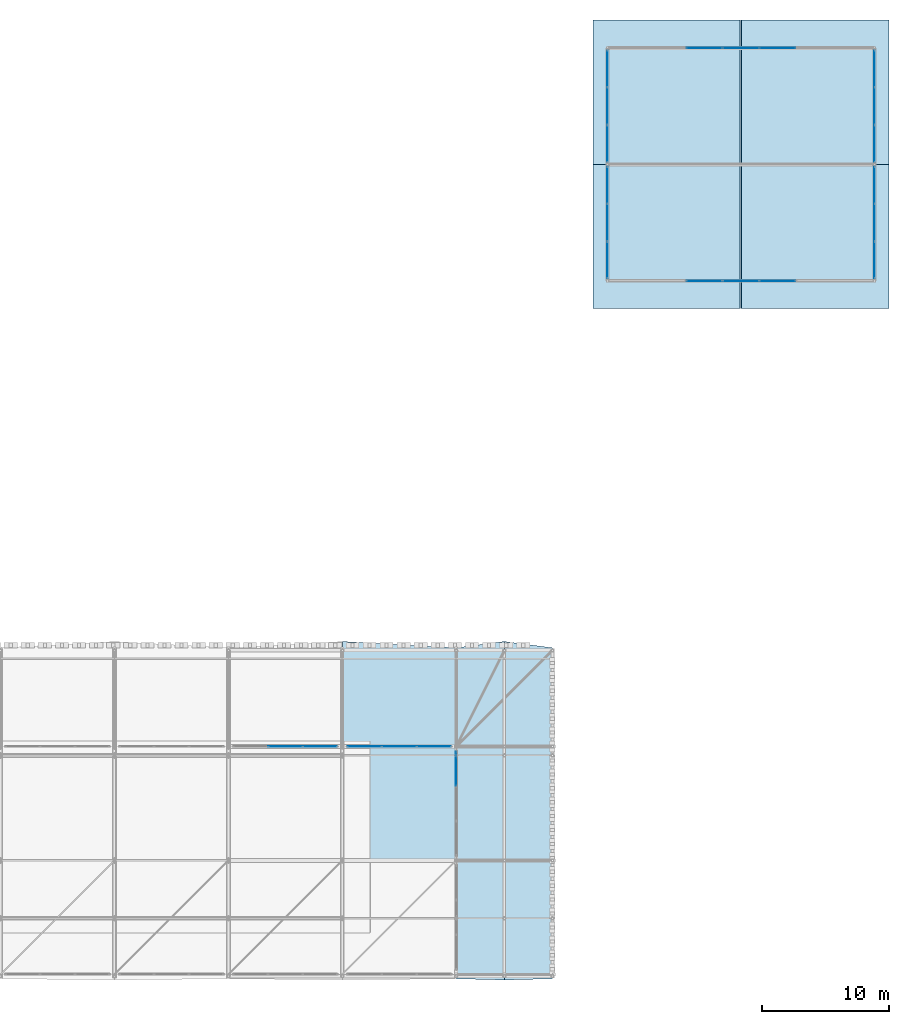
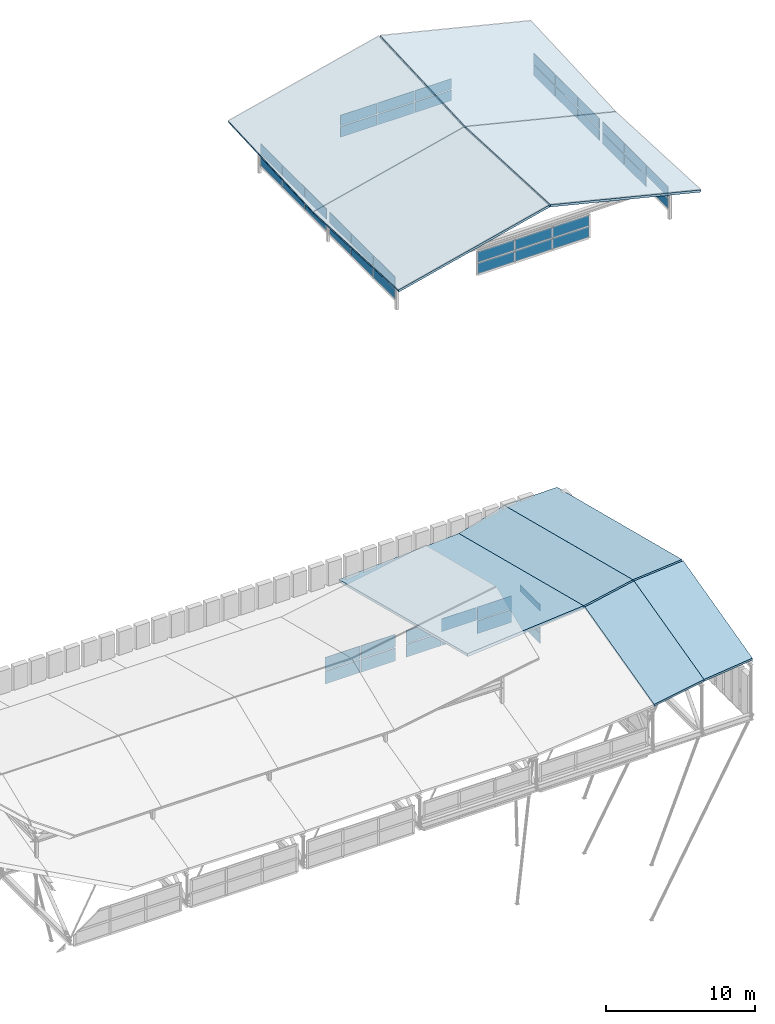
# One storey, part 33 of 42: 49 plates, 9 slabs, 9 elements without a shape of their own.
"""IFC4 building model written with IfcOpenShell, lengths in metres."""

from ifc_helpers import new_model, si_unit, direction, frame, origin, origin_2d, place, context, subcontext, project, spatial, polyline, rectangle, outline, extrude, material, layer, layer_set, type_object, element, aggregate, save


model = new_model("IFC4")

# Units and contexts
model_context = context("Model", 3, precision=1e-05, world=origin(), true_north=direction((0.0, 1.0)))
body_context = subcontext(model_context, "Body", "Model", "MODEL_VIEW")
ifc_project = project(units=[si_unit("LENGTHUNIT", "METRE"), si_unit("AREAUNIT", "SQUARE_METRE"), si_unit("VOLUMEUNIT", "CUBIC_METRE"), si_unit("PLANEANGLEUNIT", "RADIAN"), si_unit("MASSUNIT", "GRAM", prefix="KILO")], contexts=[model_context])

# Site, building, storey
site_placement = place(None, origin())
site = spatial("IfcSite", under=ifc_project, at=site_placement, CompositionType="ELEMENT")
building_placement = place(site_placement, origin())
building = spatial("IfcBuilding", under=site, at=building_placement, Name="Bozkorgan Art Gallery", CompositionType="ELEMENT")
storey_placement = place(building_placement, frame((0.0, 0.0, 28.800048828125)))
storey = spatial("IfcBuildingStorey", under=building, at=storey_placement, Name="RF", CompositionType="ELEMENT", Elevation=28.800048828125)

# Curtain wall, plates
ifc_material_1 = material(Name="Anodised Bronze Aluminium", Category="aluminium")
curtain_wall_type_1 = type_object("IfcCurtainWallType", Name="CW-CW-50", PredefinedType="NOTDEFINED", material=ifc_material_1)
curtain_wall_1_placement = place(storey_placement, origin())
curtain_wall_1 = element("IfcCurtainWall", 1, at=curtain_wall_1_placement, inside=storey, type_object=curtain_wall_type_1, Name="RF unitised curtain wall CW-MON-ROOF-V4-MAIN-S-83", PredefinedType="NOTDEFINED")
ifc_material_2 = material(Name="Triple Low-E Laminated Glass", Category="glass")
ifc_layer_1 = layer(ifc_material_2, 0.0439453125, Name="Triple Low-E Laminated Glass")
ifc_layer_set_1 = layer_set([ifc_layer_1], Name="Triple Low-E Laminated Glass")
plate_type = type_object("IfcPlateType", Name="CWP-GLZ", PredefinedType="CURTAIN_PANEL", material=ifc_layer_set_1)
plate_1_placement = place(storey_placement, frame((84.609619140625, 56.800048828125, -0.60498046875), z_axis=(0.0, 0.0, 1.0), x_axis=(1.0, 0.0, 0.0)))
plate_1 = element("IfcPlate", 2, at=plate_1_placement, type_object=plate_type, Name="CW-50 panel 1.1", PredefinedType="CURTAIN_PANEL", context=body_context, shape_type="SweptSolid", body=[
    extrude(rectangle(XDim=2.80908203125, YDim=0.0439453125, at=origin_2d()), origin(), (0.0, 0.0, 1.0), 0.85791015625),
])
plate_2_placement = place(storey_placement, frame((84.609619140625, 56.800048828125, 0.3330078125), z_axis=(0.0, 0.0, 1.0), x_axis=(1.0, 0.0, 0.0)))
plate_2 = element("IfcPlate", 3, at=plate_2_placement, type_object=plate_type, Name="CW-50 panel 1.2", PredefinedType="CURTAIN_PANEL", context=body_context, shape_type="SweptSolid", body=[
    extrude(rectangle(XDim=2.80908203125, YDim=0.0439453125, at=origin_2d()), origin(), (0.0, 0.0, 1.0), 0.85888671875),
])
plate_3_placement = place(storey_placement, frame((87.5, 56.800048828125, -0.60498046875), z_axis=(0.0, 0.0, 1.0), x_axis=(1.0, 0.0, 0.0)))
plate_3 = element("IfcPlate", 4, at=plate_3_placement, type_object=plate_type, Name="CW-50 panel 2.1", PredefinedType="CURTAIN_PANEL", context=body_context, shape_type="SweptSolid", body=[
    extrude(rectangle(XDim=2.841552734375, YDim=0.0439453125, at=origin_2d()), origin(), (0.0, 0.0, 1.0), 0.85791015625),
])
plate_4_placement = place(storey_placement, frame((87.5, 56.800048828125, 0.3330078125), z_axis=(0.0, 0.0, 1.0), x_axis=(1.0, 0.0, 0.0)))
plate_4 = element("IfcPlate", 5, at=plate_4_placement, type_object=plate_type, Name="CW-50 panel 2.2", PredefinedType="CURTAIN_PANEL", context=body_context, shape_type="SweptSolid", body=[
    extrude(rectangle(XDim=2.841552734375, YDim=0.0439453125, at=origin_2d()), origin(), (0.0, 0.0, 1.0), 0.85888671875),
])
plate_5_placement = place(storey_placement, frame((90.390380859375, 56.800048828125, -0.60498046875), z_axis=(0.0, 0.0, 1.0), x_axis=(1.0, 0.0, 0.0)))
plate_5 = element("IfcPlate", 6, at=plate_5_placement, type_object=plate_type, Name="CW-50 panel 3.1", PredefinedType="CURTAIN_PANEL", context=body_context, shape_type="SweptSolid", body=[
    extrude(rectangle(XDim=2.80908203125, YDim=0.0439453125, at=origin_2d()), origin(), (0.0, 0.0, 1.0), 0.85791015625),
])
plate_6_placement = place(storey_placement, frame((90.390380859375, 56.800048828125, 0.3330078125), z_axis=(0.0, 0.0, 1.0), x_axis=(1.0, 0.0, 0.0)))
plate_6 = element("IfcPlate", 7, at=plate_6_placement, type_object=plate_type, Name="CW-50 panel 3.2", PredefinedType="CURTAIN_PANEL", context=body_context, shape_type="SweptSolid", body=[
    extrude(rectangle(XDim=2.80908203125, YDim=0.0439453125, at=origin_2d()), origin(), (0.0, 0.0, 1.0), 0.85888671875),
])
aggregate(curtain_wall_1, [plate_1, plate_2, plate_3, plate_4, plate_5, plate_6])

curtain_wall_2_placement = place(storey_placement, origin())
curtain_wall_2 = element("IfcCurtainWall", 8, at=curtain_wall_2_placement, inside=storey, type_object=curtain_wall_type_1, Name="RF unitised curtain wall CW-MON-ROOF-V4-MAIN-N-83", PredefinedType="NOTDEFINED")
plate_7_placement = place(storey_placement, frame((84.609619140625, 75.199951171875, -0.60498046875), z_axis=(0.0, 0.0, 1.0), x_axis=(1.0, 0.0, 0.0)))
plate_7 = element("IfcPlate", 9, at=plate_7_placement, type_object=plate_type, Name="CW-50 panel 1.1", PredefinedType="CURTAIN_PANEL", context=body_context, shape_type="SweptSolid", body=[
    extrude(rectangle(XDim=2.80908203125, YDim=0.0439453125, at=origin_2d()), origin(), (0.0, 0.0, 1.0), 0.85791015625),
])
plate_8_placement = place(storey_placement, frame((84.609619140625, 75.199951171875, 0.3330078125), z_axis=(0.0, 0.0, 1.0), x_axis=(1.0, 0.0, 0.0)))
plate_8 = element("IfcPlate", 10, at=plate_8_placement, type_object=plate_type, Name="CW-50 panel 1.2", PredefinedType="CURTAIN_PANEL", context=body_context, shape_type="SweptSolid", body=[
    extrude(rectangle(XDim=2.80908203125, YDim=0.0439453125, at=origin_2d()), origin(), (0.0, 0.0, 1.0), 0.85888671875),
])
plate_9_placement = place(storey_placement, frame((87.5, 75.199951171875, -0.60498046875), z_axis=(0.0, 0.0, 1.0), x_axis=(1.0, 0.0, 0.0)))
plate_9 = element("IfcPlate", 11, at=plate_9_placement, type_object=plate_type, Name="CW-50 panel 2.1", PredefinedType="CURTAIN_PANEL", context=body_context, shape_type="SweptSolid", body=[
    extrude(rectangle(XDim=2.841552734375, YDim=0.0439453125, at=origin_2d()), origin(), (0.0, 0.0, 1.0), 0.85791015625),
])
plate_10_placement = place(storey_placement, frame((87.5, 75.199951171875, 0.3330078125), z_axis=(0.0, 0.0, 1.0), x_axis=(1.0, 0.0, 0.0)))
plate_10 = element("IfcPlate", 12, at=plate_10_placement, type_object=plate_type, Name="CW-50 panel 2.2", PredefinedType="CURTAIN_PANEL", context=body_context, shape_type="SweptSolid", body=[
    extrude(rectangle(XDim=2.841552734375, YDim=0.0439453125, at=origin_2d()), origin(), (0.0, 0.0, 1.0), 0.85888671875),
])
plate_11_placement = place(storey_placement, frame((90.390380859375, 75.199951171875, -0.60498046875), z_axis=(0.0, 0.0, 1.0), x_axis=(1.0, 0.0, 0.0)))
plate_11 = element("IfcPlate", 13, at=plate_11_placement, type_object=plate_type, Name="CW-50 panel 3.1", PredefinedType="CURTAIN_PANEL", context=body_context, shape_type="SweptSolid", body=[
    extrude(rectangle(XDim=2.80908203125, YDim=0.0439453125, at=origin_2d()), origin(), (0.0, 0.0, 1.0), 0.85791015625),
])
plate_12_placement = place(storey_placement, frame((90.390380859375, 75.199951171875, 0.3330078125), z_axis=(0.0, 0.0, 1.0), x_axis=(1.0, 0.0, 0.0)))
plate_12 = element("IfcPlate", 14, at=plate_12_placement, type_object=plate_type, Name="CW-50 panel 3.2", PredefinedType="CURTAIN_PANEL", context=body_context, shape_type="SweptSolid", body=[
    extrude(rectangle(XDim=2.80908203125, YDim=0.0439453125, at=origin_2d()), origin(), (0.0, 0.0, 1.0), 0.85888671875),
])
aggregate(curtain_wall_2, [plate_7, plate_8, plate_9, plate_10, plate_11, plate_12])

curtain_wall_type_2 = type_object("IfcCurtainWallType", Name="CW-CW-64", PredefinedType="NOTDEFINED", material=ifc_material_1)
curtain_wall_3_placement = place(storey_placement, origin())
curtain_wall_3 = element("IfcCurtainWall", 15, at=curtain_wall_3_placement, inside=storey, type_object=curtain_wall_type_2, Name="RF unitised curtain wall CW-MON-ROOF-V4-MAIN-W-56", PredefinedType="NOTDEFINED")
plate_13_placement = place(storey_placement, frame((76.949951171875, 58.44287109375, -0.60498046875), z_axis=(0.0, 0.0, 1.0), x_axis=(0.0, 1.0, 0.0)))
plate_13 = element("IfcPlate", 16, at=plate_13_placement, type_object=plate_type, Name="CW-64 panel 1.1", PredefinedType="CURTAIN_PANEL", context=body_context, shape_type="SweptSolid", body=[
    extrude(rectangle(XDim=2.875732421875, YDim=0.0439453125, at=origin_2d()), origin(), (0.0, 0.0, 1.0), 0.85791015625),
])
plate_14_placement = place(storey_placement, frame((76.949951171875, 58.44287109375, 0.3330078125), z_axis=(0.0, 0.0, 1.0), x_axis=(0.0, 1.0, 0.0)))
plate_14 = element("IfcPlate", 17, at=plate_14_placement, type_object=plate_type, Name="CW-64 panel 1.2", PredefinedType="CURTAIN_PANEL", context=body_context, shape_type="SweptSolid", body=[
    extrude(rectangle(XDim=2.875732421875, YDim=0.0439453125, at=origin_2d()), origin(), (0.0, 0.0, 1.0), 0.85888671875),
])
plate_15_placement = place(storey_placement, frame((76.949951171875, 61.39990234375, -0.60498046875), z_axis=(0.0, 0.0, 1.0), x_axis=(0.0, 1.0, 0.0)))
plate_15 = element("IfcPlate", 18, at=plate_15_placement, type_object=plate_type, Name="CW-64 panel 2.1", PredefinedType="CURTAIN_PANEL", context=body_context, shape_type="SweptSolid", body=[
    extrude(rectangle(XDim=2.908447265625, YDim=0.0439453125, at=origin_2d()), origin(), (0.0, 0.0, 1.0), 0.85791015625),
])
plate_16_placement = place(storey_placement, frame((76.949951171875, 61.39990234375, 0.3330078125), z_axis=(0.0, 0.0, 1.0), x_axis=(0.0, 1.0, 0.0)))
plate_16 = element("IfcPlate", 19, at=plate_16_placement, type_object=plate_type, Name="CW-64 panel 2.2", PredefinedType="CURTAIN_PANEL", context=body_context, shape_type="SweptSolid", body=[
    extrude(rectangle(XDim=2.908447265625, YDim=0.0439453125, at=origin_2d()), origin(), (0.0, 0.0, 1.0), 0.85888671875),
])
plate_17_placement = place(storey_placement, frame((76.949951171875, 64.357177734375, -0.60498046875), z_axis=(0.0, 0.0, 1.0), x_axis=(0.0, 1.0, 0.0)))
plate_17 = element("IfcPlate", 20, at=plate_17_placement, type_object=plate_type, Name="CW-64 panel 3.1", PredefinedType="CURTAIN_PANEL", context=body_context, shape_type="SweptSolid", body=[
    extrude(rectangle(XDim=2.875732421875, YDim=0.0439453125, at=origin_2d()), origin(), (0.0, 0.0, 1.0), 0.85791015625),
])
plate_18_placement = place(storey_placement, frame((76.949951171875, 64.357177734375, 0.3330078125), z_axis=(0.0, 0.0, 1.0), x_axis=(0.0, 1.0, 0.0)))
plate_18 = element("IfcPlate", 21, at=plate_18_placement, type_object=plate_type, Name="CW-64 panel 3.2", PredefinedType="CURTAIN_PANEL", context=body_context, shape_type="SweptSolid", body=[
    extrude(rectangle(XDim=2.875732421875, YDim=0.0439453125, at=origin_2d()), origin(), (0.0, 0.0, 1.0), 0.85888671875),
])
aggregate(curtain_wall_3, [plate_13, plate_14, plate_15, plate_16, plate_17, plate_18])

curtain_wall_4_placement = place(storey_placement, origin())
curtain_wall_4 = element("IfcCurtainWall", 22, at=curtain_wall_4_placement, inside=storey, type_object=curtain_wall_type_2, Name="RF unitised curtain wall CW-MON-ROOF-V4-MAIN-E-56", PredefinedType="NOTDEFINED")
plate_19_placement = place(storey_placement, frame((98.050048828125, 58.44287109375, -0.60498046875), z_axis=(0.0, 0.0, 1.0), x_axis=(0.0, 1.0, 0.0)))
plate_19 = element("IfcPlate", 23, at=plate_19_placement, type_object=plate_type, Name="CW-64 panel 1.1", PredefinedType="CURTAIN_PANEL", context=body_context, shape_type="SweptSolid", body=[
    extrude(rectangle(XDim=2.875732421875, YDim=0.0439453125, at=origin_2d()), origin(), (0.0, 0.0, 1.0), 0.85791015625),
])
plate_20_placement = place(storey_placement, frame((98.050048828125, 58.44287109375, 0.3330078125), z_axis=(0.0, 0.0, 1.0), x_axis=(0.0, 1.0, 0.0)))
plate_20 = element("IfcPlate", 24, at=plate_20_placement, type_object=plate_type, Name="CW-64 panel 1.2", PredefinedType="CURTAIN_PANEL", context=body_context, shape_type="SweptSolid", body=[
    extrude(rectangle(XDim=2.875732421875, YDim=0.0439453125, at=origin_2d()), origin(), (0.0, 0.0, 1.0), 0.85888671875),
])
plate_21_placement = place(storey_placement, frame((98.050048828125, 61.39990234375, -0.60498046875), z_axis=(0.0, 0.0, 1.0), x_axis=(0.0, 1.0, 0.0)))
plate_21 = element("IfcPlate", 25, at=plate_21_placement, type_object=plate_type, Name="CW-64 panel 2.1", PredefinedType="CURTAIN_PANEL", context=body_context, shape_type="SweptSolid", body=[
    extrude(rectangle(XDim=2.908447265625, YDim=0.0439453125, at=origin_2d()), origin(), (0.0, 0.0, 1.0), 0.85791015625),
])
plate_22_placement = place(storey_placement, frame((98.050048828125, 61.39990234375, 0.3330078125), z_axis=(0.0, 0.0, 1.0), x_axis=(0.0, 1.0, 0.0)))
plate_22 = element("IfcPlate", 26, at=plate_22_placement, type_object=plate_type, Name="CW-64 panel 2.2", PredefinedType="CURTAIN_PANEL", context=body_context, shape_type="SweptSolid", body=[
    extrude(rectangle(XDim=2.908447265625, YDim=0.0439453125, at=origin_2d()), origin(), (0.0, 0.0, 1.0), 0.85888671875),
])
plate_23_placement = place(storey_placement, frame((98.050048828125, 64.357177734375, -0.60498046875), z_axis=(0.0, 0.0, 1.0), x_axis=(0.0, 1.0, 0.0)))
plate_23 = element("IfcPlate", 27, at=plate_23_placement, type_object=plate_type, Name="CW-64 panel 3.1", PredefinedType="CURTAIN_PANEL", context=body_context, shape_type="SweptSolid", body=[
    extrude(rectangle(XDim=2.875732421875, YDim=0.0439453125, at=origin_2d()), origin(), (0.0, 0.0, 1.0), 0.85791015625),
])
plate_24_placement = place(storey_placement, frame((98.050048828125, 64.357177734375, 0.3330078125), z_axis=(0.0, 0.0, 1.0), x_axis=(0.0, 1.0, 0.0)))
plate_24 = element("IfcPlate", 28, at=plate_24_placement, type_object=plate_type, Name="CW-64 panel 3.2", PredefinedType="CURTAIN_PANEL", context=body_context, shape_type="SweptSolid", body=[
    extrude(rectangle(XDim=2.875732421875, YDim=0.0439453125, at=origin_2d()), origin(), (0.0, 0.0, 1.0), 0.85888671875),
])
aggregate(curtain_wall_4, [plate_19, plate_20, plate_21, plate_22, plate_23, plate_24])

curtain_wall_5_placement = place(storey_placement, origin())
curtain_wall_5 = element("IfcCurtainWall", 29, at=curtain_wall_5_placement, inside=storey, type_object=curtain_wall_type_2, Name="RF unitised curtain wall CW-MON-ROOF-V4-MAIN-W-66", PredefinedType="NOTDEFINED")
plate_25_placement = place(storey_placement, frame((76.949951171875, 67.642822265625, -0.60498046875), z_axis=(0.0, 0.0, 1.0), x_axis=(0.0, 1.0, 0.0)))
plate_25 = element("IfcPlate", 30, at=plate_25_placement, type_object=plate_type, Name="CW-64 panel 1.1", PredefinedType="CURTAIN_PANEL", context=body_context, shape_type="SweptSolid", body=[
    extrude(rectangle(XDim=2.875732421875, YDim=0.0439453125, at=origin_2d()), origin(), (0.0, 0.0, 1.0), 0.85791015625),
])
plate_26_placement = place(storey_placement, frame((76.949951171875, 67.642822265625, 0.3330078125), z_axis=(0.0, 0.0, 1.0), x_axis=(0.0, 1.0, 0.0)))
plate_26 = element("IfcPlate", 31, at=plate_26_placement, type_object=plate_type, Name="CW-64 panel 1.2", PredefinedType="CURTAIN_PANEL", context=body_context, shape_type="SweptSolid", body=[
    extrude(rectangle(XDim=2.875732421875, YDim=0.0439453125, at=origin_2d()), origin(), (0.0, 0.0, 1.0), 0.85888671875),
])
plate_27_placement = place(storey_placement, frame((76.949951171875, 70.60009765625, -0.60498046875), z_axis=(0.0, 0.0, 1.0), x_axis=(0.0, 1.0, 0.0)))
plate_27 = element("IfcPlate", 32, at=plate_27_placement, type_object=plate_type, Name="CW-64 panel 2.1", PredefinedType="CURTAIN_PANEL", context=body_context, shape_type="SweptSolid", body=[
    extrude(rectangle(XDim=2.908447265625, YDim=0.0439453125, at=origin_2d()), origin(), (0.0, 0.0, 1.0), 0.85791015625),
])
plate_28_placement = place(storey_placement, frame((76.949951171875, 70.60009765625, 0.3330078125), z_axis=(0.0, 0.0, 1.0), x_axis=(0.0, 1.0, 0.0)))
plate_28 = element("IfcPlate", 33, at=plate_28_placement, type_object=plate_type, Name="CW-64 panel 2.2", PredefinedType="CURTAIN_PANEL", context=body_context, shape_type="SweptSolid", body=[
    extrude(rectangle(XDim=2.908447265625, YDim=0.0439453125, at=origin_2d()), origin(), (0.0, 0.0, 1.0), 0.85888671875),
])
plate_29_placement = place(storey_placement, frame((76.949951171875, 73.55712890625, -0.60498046875), z_axis=(0.0, 0.0, 1.0), x_axis=(0.0, 1.0, 0.0)))
plate_29 = element("IfcPlate", 34, at=plate_29_placement, type_object=plate_type, Name="CW-64 panel 3.1", PredefinedType="CURTAIN_PANEL", context=body_context, shape_type="SweptSolid", body=[
    extrude(rectangle(XDim=2.875732421875, YDim=0.0439453125, at=origin_2d()), origin(), (0.0, 0.0, 1.0), 0.85791015625),
])
plate_30_placement = place(storey_placement, frame((76.949951171875, 73.55712890625, 0.3330078125), z_axis=(0.0, 0.0, 1.0), x_axis=(0.0, 1.0, 0.0)))
plate_30 = element("IfcPlate", 35, at=plate_30_placement, type_object=plate_type, Name="CW-64 panel 3.2", PredefinedType="CURTAIN_PANEL", context=body_context, shape_type="SweptSolid", body=[
    extrude(rectangle(XDim=2.875732421875, YDim=0.0439453125, at=origin_2d()), origin(), (0.0, 0.0, 1.0), 0.85888671875),
])
aggregate(curtain_wall_5, [plate_25, plate_26, plate_27, plate_28, plate_29, plate_30])

curtain_wall_6_placement = place(storey_placement, origin())
curtain_wall_6 = element("IfcCurtainWall", 36, at=curtain_wall_6_placement, inside=storey, type_object=curtain_wall_type_2, Name="RF unitised curtain wall CW-MON-ROOF-V4-MAIN-E-66", PredefinedType="NOTDEFINED")
plate_31_placement = place(storey_placement, frame((98.050048828125, 67.642822265625, -0.60498046875), z_axis=(0.0, 0.0, 1.0), x_axis=(0.0, 1.0, 0.0)))
plate_31 = element("IfcPlate", 37, at=plate_31_placement, type_object=plate_type, Name="CW-64 panel 1.1", PredefinedType="CURTAIN_PANEL", context=body_context, shape_type="SweptSolid", body=[
    extrude(rectangle(XDim=2.875732421875, YDim=0.0439453125, at=origin_2d()), origin(), (0.0, 0.0, 1.0), 0.85791015625),
])
plate_32_placement = place(storey_placement, frame((98.050048828125, 67.642822265625, 0.3330078125), z_axis=(0.0, 0.0, 1.0), x_axis=(0.0, 1.0, 0.0)))
plate_32 = element("IfcPlate", 38, at=plate_32_placement, type_object=plate_type, Name="CW-64 panel 1.2", PredefinedType="CURTAIN_PANEL", context=body_context, shape_type="SweptSolid", body=[
    extrude(rectangle(XDim=2.875732421875, YDim=0.0439453125, at=origin_2d()), origin(), (0.0, 0.0, 1.0), 0.85888671875),
])
plate_33_placement = place(storey_placement, frame((98.050048828125, 70.60009765625, -0.60498046875), z_axis=(0.0, 0.0, 1.0), x_axis=(0.0, 1.0, 0.0)))
plate_33 = element("IfcPlate", 39, at=plate_33_placement, type_object=plate_type, Name="CW-64 panel 2.1", PredefinedType="CURTAIN_PANEL", context=body_context, shape_type="SweptSolid", body=[
    extrude(rectangle(XDim=2.908447265625, YDim=0.0439453125, at=origin_2d()), origin(), (0.0, 0.0, 1.0), 0.85791015625),
])
plate_34_placement = place(storey_placement, frame((98.050048828125, 70.60009765625, 0.3330078125), z_axis=(0.0, 0.0, 1.0), x_axis=(0.0, 1.0, 0.0)))
plate_34 = element("IfcPlate", 40, at=plate_34_placement, type_object=plate_type, Name="CW-64 panel 2.2", PredefinedType="CURTAIN_PANEL", context=body_context, shape_type="SweptSolid", body=[
    extrude(rectangle(XDim=2.908447265625, YDim=0.0439453125, at=origin_2d()), origin(), (0.0, 0.0, 1.0), 0.85888671875),
])
plate_35_placement = place(storey_placement, frame((98.050048828125, 73.55712890625, -0.60498046875), z_axis=(0.0, 0.0, 1.0), x_axis=(0.0, 1.0, 0.0)))
plate_35 = element("IfcPlate", 41, at=plate_35_placement, type_object=plate_type, Name="CW-64 panel 3.1", PredefinedType="CURTAIN_PANEL", context=body_context, shape_type="SweptSolid", body=[
    extrude(rectangle(XDim=2.875732421875, YDim=0.0439453125, at=origin_2d()), origin(), (0.0, 0.0, 1.0), 0.85791015625),
])
plate_36_placement = place(storey_placement, frame((98.050048828125, 73.55712890625, 0.3330078125), z_axis=(0.0, 0.0, 1.0), x_axis=(0.0, 1.0, 0.0)))
plate_36 = element("IfcPlate", 42, at=plate_36_placement, type_object=plate_type, Name="CW-64 panel 3.2", PredefinedType="CURTAIN_PANEL", context=body_context, shape_type="SweptSolid", body=[
    extrude(rectangle(XDim=2.875732421875, YDim=0.0439453125, at=origin_2d()), origin(), (0.0, 0.0, 1.0), 0.85888671875),
])
aggregate(curtain_wall_6, [plate_31, plate_32, plate_33, plate_34, plate_35, plate_36])

curtain_wall_type_3 = type_object("IfcCurtainWallType", Name="CW-CW-28", PredefinedType="NOTDEFINED", material=ifc_material_1)
curtain_wall_7_placement = place(storey_placement, origin())
curtain_wall_7 = element("IfcCurtainWall", 43, at=curtain_wall_7_placement, inside=storey, type_object=curtain_wall_type_3, Name="RF unitised curtain wall CW-RF-V1-N-47", PredefinedType="NOTDEFINED")
plate_37_placement = place(storey_placement, frame((51.5, 20.0, -0.25), z_axis=(0.0, 0.0, 1.0), x_axis=(1.0, 0.0, 0.0)))
plate_37 = element("IfcPlate", 44, at=plate_37_placement, type_object=plate_type, Name="CW-28 panel 2.1", PredefinedType="CURTAIN_PANEL", context=body_context, shape_type="SweptSolid", body=[
    extrude(rectangle(XDim=2.695068359375, YDim=0.0439453125, at=origin_2d()), origin(), (0.0, 0.0, 1.0), 1.050537109375),
])
plate_38_placement = place(storey_placement, frame((51.5, 20.0, 0.87548828125), z_axis=(0.0, 0.0, 1.0), x_axis=(1.0, 0.0, 0.0)))
plate_38 = element("IfcPlate", 45, at=plate_38_placement, type_object=plate_type, Name="CW-28 panel 2.2", PredefinedType="CURTAIN_PANEL", context=body_context, shape_type="SweptSolid", body=[
    extrude(rectangle(XDim=2.695068359375, YDim=0.0439453125, at=origin_2d()), origin(), (0.0, 0.0, 1.0), 1.049560546875),
])
plate_39_placement = place(storey_placement, frame((54.24365234375, 20.0, -0.25), z_axis=(0.0, 0.0, 1.0), x_axis=(1.0, 0.0, 0.0)))
plate_39 = element("IfcPlate", 46, at=plate_39_placement, type_object=plate_type, Name="CW-28 panel 3.1", PredefinedType="CURTAIN_PANEL", context=body_context, shape_type="SweptSolid", body=[
    extrude(rectangle(XDim=2.66259765625, YDim=0.0439453125, at=origin_2d()), origin(), (0.0, 0.0, 1.0), 1.050537109375),
])
plate_40_placement = place(storey_placement, frame((54.24365234375, 20.0, 0.87548828125), z_axis=(0.0, 0.0, 1.0), x_axis=(1.0, 0.0, 0.0)))
plate_40 = element("IfcPlate", 47, at=plate_40_placement, type_object=plate_type, Name="CW-28 panel 3.2", PredefinedType="CURTAIN_PANEL", context=body_context, shape_type="SweptSolid", body=[
    extrude(rectangle(XDim=2.66259765625, YDim=0.0439453125, at=origin_2d()), origin(), (0.0, 0.0, 1.0), 1.049560546875),
])
aggregate(curtain_wall_7, [plate_37, plate_38, plate_39, plate_40])

curtain_wall_8_placement = place(storey_placement, origin())
curtain_wall_8 = element("IfcCurtainWall", 48, at=curtain_wall_8_placement, inside=storey, type_object=curtain_wall_type_3, Name="RF unitised curtain wall CW-RF-V1-N-56", PredefinedType="NOTDEFINED")
plate_41_placement = place(storey_placement, frame((57.75634765625, 20.0, -0.25), z_axis=(0.0, 0.0, 1.0), x_axis=(1.0, 0.0, 0.0)))
plate_41 = element("IfcPlate", 49, at=plate_41_placement, type_object=plate_type, Name="CW-28 panel 1.1", PredefinedType="CURTAIN_PANEL", context=body_context, shape_type="SweptSolid", body=[
    extrude(rectangle(XDim=2.66259765625, YDim=0.0439453125, at=origin_2d()), origin(), (0.0, 0.0, 1.0), 1.050537109375),
])
plate_42_placement = place(storey_placement, frame((57.75634765625, 20.0, 0.87548828125), z_axis=(0.0, 0.0, 1.0), x_axis=(1.0, 0.0, 0.0)))
plate_42 = element("IfcPlate", 50, at=plate_42_placement, type_object=plate_type, Name="CW-28 panel 1.2", PredefinedType="CURTAIN_PANEL", context=body_context, shape_type="SweptSolid", body=[
    extrude(rectangle(XDim=2.66259765625, YDim=0.0439453125, at=origin_2d()), origin(), (0.0, 0.0, 1.0), 1.049560546875),
])
plate_43_placement = place(storey_placement, frame((60.5, 20.0, -0.25), z_axis=(0.0, 0.0, 1.0), x_axis=(1.0, 0.0, 0.0)))
plate_43 = element("IfcPlate", 51, at=plate_43_placement, type_object=plate_type, Name="CW-28 panel 2.1", PredefinedType="CURTAIN_PANEL", context=body_context, shape_type="SweptSolid", body=[
    extrude(rectangle(XDim=2.695068359375, YDim=0.0439453125, at=origin_2d()), origin(), (0.0, 0.0, 1.0), 1.050537109375),
])
plate_44_placement = place(storey_placement, frame((60.5, 20.0, 0.87548828125), z_axis=(0.0, 0.0, 1.0), x_axis=(1.0, 0.0, 0.0)))
plate_44 = element("IfcPlate", 52, at=plate_44_placement, type_object=plate_type, Name="CW-28 panel 2.2", PredefinedType="CURTAIN_PANEL", context=body_context, shape_type="SweptSolid", body=[
    extrude(rectangle(XDim=2.695068359375, YDim=0.0439453125, at=origin_2d()), origin(), (0.0, 0.0, 1.0), 1.049560546875),
])
plate_45_placement = place(storey_placement, frame((63.24365234375, 20.0, -0.25), z_axis=(0.0, 0.0, 1.0), x_axis=(1.0, 0.0, 0.0)))
plate_45 = element("IfcPlate", 53, at=plate_45_placement, type_object=plate_type, Name="CW-28 panel 3.1", PredefinedType="CURTAIN_PANEL", context=body_context, shape_type="SweptSolid", body=[
    extrude(rectangle(XDim=2.66259765625, YDim=0.0439453125, at=origin_2d()), origin(), (0.0, 0.0, 1.0), 1.050537109375),
])
plate_46_placement = place(storey_placement, frame((63.24365234375, 20.0, 0.87548828125), z_axis=(0.0, 0.0, 1.0), x_axis=(1.0, 0.0, 0.0)))
plate_46 = element("IfcPlate", 54, at=plate_46_placement, type_object=plate_type, Name="CW-28 panel 3.2", PredefinedType="CURTAIN_PANEL", context=body_context, shape_type="SweptSolid", body=[
    extrude(rectangle(XDim=2.66259765625, YDim=0.0439453125, at=origin_2d()), origin(), (0.0, 0.0, 1.0), 1.049560546875),
])
aggregate(curtain_wall_8, [plate_41, plate_42, plate_43, plate_44, plate_45, plate_46])

curtain_wall_type_4 = type_object("IfcCurtainWallType", Name="CW-CW-62", PredefinedType="NOTDEFINED", material=ifc_material_1)
curtain_wall_9_placement = place(storey_placement, origin())
curtain_wall_9 = element("IfcCurtainWall", 55, at=curtain_wall_9_placement, inside=storey, type_object=curtain_wall_type_4, Name="RF unitised curtain wall CW-RF-V1-E-11", PredefinedType="NOTDEFINED")
plate_47_placement = place(storey_placement, frame((65.0, 18.24365234375, -0.25), z_axis=(0.0, 0.0, 1.0), x_axis=(0.0, 1.0, 0.0)))
plate_47 = element("IfcPlate", 56, at=plate_47_placement, type_object=plate_type, Name="CW-62 panel 3.1", PredefinedType="CURTAIN_PANEL", context=body_context, shape_type="SweptSolid", body=[
    extrude(rectangle(XDim=2.66259765625, YDim=0.0439453125, at=origin_2d()), origin(), (0.0, 0.0, 1.0), 0.78759765625),
])
plate_48_placement = place(storey_placement, frame((65.0, 18.24365234375, 0.6123046875), z_axis=(0.0, 0.0, 1.0), x_axis=(0.0, 1.0, 0.0)))
plate_48 = element("IfcPlate", 57, at=plate_48_placement, type_object=plate_type, Name="CW-62 panel 3.2", PredefinedType="CURTAIN_PANEL", context=body_context, shape_type="SweptSolid", body=[
    extrude(rectangle(XDim=2.66259765625, YDim=0.0439453125, at=origin_2d()), origin(), (0.0, 0.0, 1.0), 1.699951171875),
])
plate_49_placement = place(storey_placement, frame((65.0, 18.24365234375, 2.387451171875), z_axis=(0.0, 0.0, 1.0), x_axis=(0.0, 1.0, 0.0)))
plate_49 = element("IfcPlate", 58, at=plate_49_placement, type_object=plate_type, Name="CW-62 panel 3.3", PredefinedType="CURTAIN_PANEL", context=body_context, shape_type="SweptSolid", body=[
    extrude(rectangle(XDim=2.66259765625, YDim=0.0439453125, at=origin_2d()), origin(), (0.0, 0.0, 1.0), 0.53759765625),
])
aggregate(curtain_wall_9, [plate_47, plate_48, plate_49])

# Slabs
ifc_material_3 = material(Name="Concrete C35/45", Category="concrete")
ifc_layer_2 = layer(ifc_material_3, 0.179931640625, Name="Concrete C35/45")
ifc_layer_set_2 = layer_set([ifc_layer_2], Name="Concrete C35/45")
slab_type_1 = type_object("IfcSlabType", Name="SLAB-RF-25", PredefinedType="ROOF", material=ifc_layer_set_2)
slab_1_placement = place(storey_placement, frame((75.800048828125, 54.60009765625, 1.98779296875), z_axis=(-0.238279510817, 0.045966600054, 0.97010821376), x_axis=(0.97113472033, -4.54153e-07, 0.238531664501)))
element("IfcSlab", 59, at=slab_1_placement, inside=storey, type_object=slab_type_1, Name="ROOF-V4-MAIN stacked swept-eave roof slab 1W", PredefinedType="ROOF", context=body_context, shape_type="SweptSolid", body=[
    extrude(outline(polyline([(0.0, 0.0), (11.985897066440053, 2.7755575615628914e-17), (11.85701723739845, 11.411970441701044), (-0.12882159377194816, 11.411959543348242), (0.0, 0.0)])), origin(), (0.0, 0.0, -1.0), 0.179931640625),
])
slab_2_placement = place(storey_placement, frame((87.56005859375, 54.60009765625, 4.846923828125), z_axis=(0.238279510817, 0.045966600054, 0.97010821376), x_axis=(0.97113472033, 4.54153e-07, -0.238531664501)))
element("IfcSlab", 60, at=slab_2_placement, inside=storey, type_object=slab_type_1, Name="ROOF-V4-MAIN stacked swept-eave roof slab 1E", PredefinedType="ROOF", context=body_context, shape_type="SweptSolid", body=[
    extrude(outline(polyline([(0.0, 0.0), (11.985897066440053, -2.7755575615628914e-17), (12.114718660212, 11.411959543348242), (0.12887982904160158, 11.411970441701044), (0.0, 0.0)])), origin(), (0.0, 0.0, -1.0), 0.179931640625),
])
slab_3_placement = place(storey_placement, frame((75.800048828125, 66.0, 1.44775390625), z_axis=(-0.238279510817, -0.045966600054, 0.97010821376), x_axis=(0.9711347303, -4.54155e-07, 0.238531623911)))
element("IfcSlab", 61, at=slab_3_placement, inside=storey, type_object=slab_type_1, Name="ROOF-V4-MAIN stacked swept-eave roof slab 2W", PredefinedType="ROOF", context=body_context, shape_type="SweptSolid", body=[
    extrude(outline(polyline([(0.0, 0.0), (11.985838831175355, -2.7755575615628914e-17), (12.114708283664891, 11.411970558882771), (0.1288112172297933, 11.411959660477018), (0.0, 0.0)])), origin(), (0.0, 0.0, -1.0), 0.179931640625),
])
slab_4_placement = place(storey_placement, frame((87.56005859375, 66.0, 4.306640625), z_axis=(0.238279510817, -0.045966600054, 0.97010821376), x_axis=(0.9711347303, 4.54155e-07, -0.238531623911)))
element("IfcSlab", 62, at=slab_4_placement, inside=storey, type_object=slab_type_1, Name="ROOF-V4-MAIN stacked swept-eave roof slab 2E", PredefinedType="ROOF", context=body_context, shape_type="SweptSolid", body=[
    extrude(outline(polyline([(0.0, 0.0), (11.985838831175355, 2.7755575615628914e-17), (11.857027613945561, 11.411959660477018), (-0.12886945248953718, 11.411970558882771), (0.0, 0.0)])), origin(), (0.0, 0.0, -1.0), 0.179931640625),
])
ifc_layer_3 = layer(ifc_material_3, 0.219970703125, Name="Concrete C35/45")
ifc_layer_set_3 = layer_set([ifc_layer_3], Name="Concrete C35/45")
slab_type_2 = type_object("IfcSlabType", Name="SLAB-RF-44", PredefinedType="ROOF", material=ifc_layer_set_3)
slab_5_placement = place(storey_placement, frame((56.0, 11.080078125, 5.580810546875), z_axis=(-0.083606708626, 0.244448771637, 0.966051094051), x_axis=(0.996275958822, 2.475532e-06, 0.086221887405)))
element("IfcSlab", 63, at=slab_5_placement, inside=storey, type_object=slab_type_2, Name="ROOF-V1-MAIN swept-eave pitched roof slab 7N", PredefinedType="ROOF", context=body_context, shape_type="SweptSolid", body=[
    extrude(outline(polyline([(0.0, 0.0), (9.033633976276082, 0.0), (8.668895316596993, 17.243065782453684), (-0.37566250969716847, 17.75875542045812), (0.0, 0.0)])), origin(), (0.0, 0.0, -1.0), 0.219970703125),
])
slab_6_placement = place(storey_placement, frame((65.0, 1.64990234375, 4.013916015625), z_axis=(-0.19914508471, -0.240402454654, 0.950025207577), x_axis=(0.979691951335, -0.025746965951, 0.198848621402)))
element("IfcSlab", 64, at=slab_6_placement, inside=storey, type_object=slab_type_2, Name="ROOF-V1-MAIN swept-eave pitched roof slab 8S", PredefinedType="ROOF", context=body_context, shape_type="SweptSolid", body=[
    extrude(outline(polyline([(0.0, 0.0), (3.8788082340366783, 0.0), (4.109051155136237, 9.662483877333111), (0.22776495538865577, 9.559482641967772), (0.0, 0.0)])), origin(), (0.0, 0.0, -1.0), 0.219970703125),
])
slab_7_placement = place(storey_placement, frame((65.0, 11.080078125, 6.359619140625), z_axis=(-0.199137519366, 0.240394504849, 0.950028805047), x_axis=(0.978729507742, -5.570265e-06, 0.205154943016)))
element("IfcSlab", 65, at=slab_7_placement, inside=storey, type_object=slab_type_2, Name="ROOF-V1-MAIN swept-eave pitched roof slab 8N", PredefinedType="ROOF", context=body_context, shape_type="SweptSolid", body=[
    extrude(outline(polyline([(0.0, 0.0), (3.882652677506553, 2.7755575615628914e-17), (2.9886101212519485, 17.740214325444988), (-0.868044796653262, 17.225064589114552), (0.0, 0.0)])), origin(), (0.0, 0.0, -1.0), 0.219970703125),
])
slab_8_placement = place(storey_placement, frame((68.800048828125, 1.550048828125, 4.78515625), z_axis=(-0.082539441166, -0.244467171759, 0.966138210912), x_axis=(0.995446013169, 0.026168530813, 0.091664839828)))
element("IfcSlab", 66, at=slab_8_placement, inside=storey, type_object=slab_type_2, Name="ROOF-V1-MAIN swept-eave pitched roof slab 9S", PredefinedType="ROOF", context=body_context, shape_type="SweptSolid", body=[
    extrude(outline(polyline([(0.0, 0.0), (3.817448121189943, 1.3877787807814457e-17), (4.275027035052275, 9.551181155390074), (0.46254174034775053, 9.654152556937753), (0.0, 0.0)])), origin(), (0.0, 0.0, -1.0), 0.219970703125),
])
slab_9_placement = place(storey_placement, frame((68.800048828125, 11.080078125, 7.15625), z_axis=(-0.08251678119, 0.244471056661, 0.966139163515), x_axis=(0.996372628732, 5.864671e-06, 0.085097501014)))
element("IfcSlab", 67, at=slab_9_placement, inside=storey, type_object=slab_type_2, Name="ROOF-V1-MAIN swept-eave pitched roof slab 9N", PredefinedType="ROOF", context=body_context, shape_type="SweptSolid", body=[
    extrude(outline(polyline([(0.0, 0.0), (3.8138756213537097, 2.7755575615628914e-17), (3.453950583987486, 17.243166931725884), (-0.37070472295686796, 17.758859603398484), (0.0, 0.0)])), origin(), (0.0, 0.0, -1.0), 0.219970703125),
])

save(model, "model.ifc")
